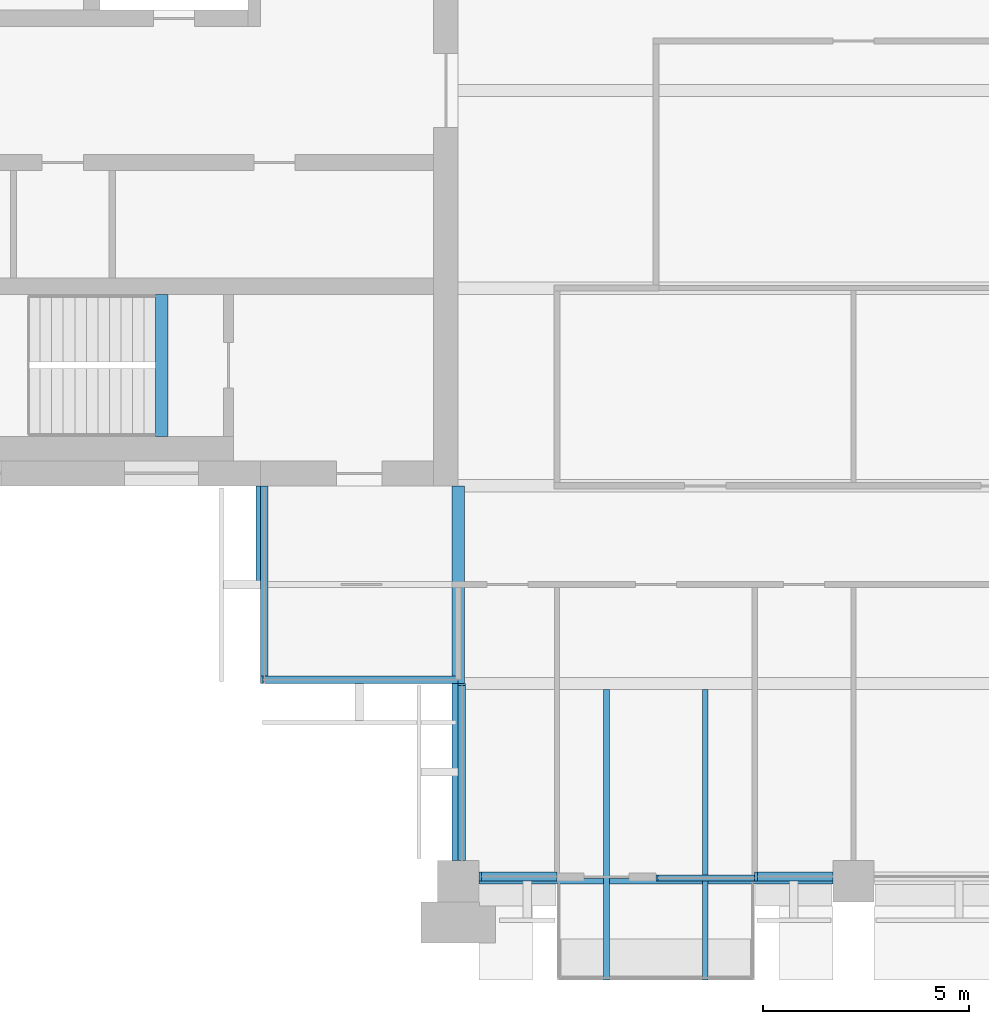
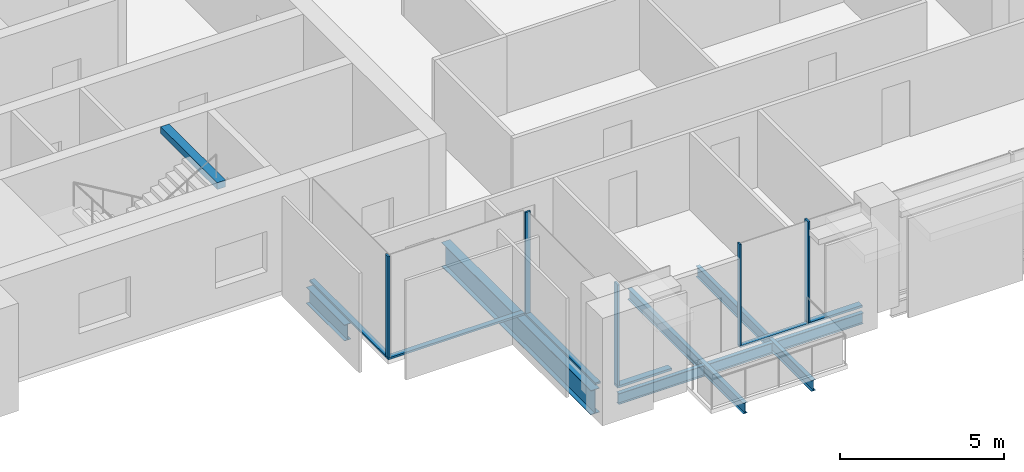
# One storey, part 2 of 13: 11 members, 8 beams, 6 elements without a shape of their own.
"""IFC4 building model written with IfcOpenShell, lengths in metres."""

from ifc_helpers import new_model, si_unit, direction, frame, origin, origin_2d, place, context, subcontext, project, spatial, rectangle, i_section, extrude, material, material_profile, profile_set, type_object, element, aggregate, save


model = new_model("IFC4")

# Units and contexts
model_context = context("Model", 3, precision=1e-05, world=origin(), true_north=direction((0.0, 1.0)))
body_context = subcontext(model_context, "Body", "Model", "MODEL_VIEW")
ifc_project = project(units=[si_unit("LENGTHUNIT", "METRE"), si_unit("AREAUNIT", "SQUARE_METRE"), si_unit("VOLUMEUNIT", "CUBIC_METRE"), si_unit("PLANEANGLEUNIT", "RADIAN"), si_unit("MASSUNIT", "GRAM", prefix="KILO")], contexts=[model_context])

# Site, building, storey
site_placement = place(None, origin())
site = spatial("IfcSite", under=ifc_project, at=site_placement, CompositionType="ELEMENT")
building_placement = place(site_placement, origin())
building = spatial("IfcBuilding", under=site, at=building_placement, Name="Baori Bourse Tower", CompositionType="ELEMENT")
storey_placement = place(building_placement, frame((0.0, 0.0, 314.300048828125)))
storey = spatial("IfcBuildingStorey", under=building, at=storey_placement, Name="L69", CompositionType="ELEMENT", Elevation=314.300048828125)

# Beams
ifc_material_1 = material(Name="Steel A992 Gr 50", Category="steel")
ifc_material_profile_1 = material_profile(ifc_material_1, i_section(OverallWidth=0.140380859375, OverallDepth=0.40380859375, WebThickness=0.007080078125, FlangeThickness=0.01123046875, at=origin_2d()), Name="W16x31")
ifc_profile_set_1 = profile_set([ifc_material_profile_1], Name="Steel A992 Gr 50")
beam_type_1 = type_object("IfcBeamType", Name="Balcony beam W16x31", PredefinedType="BEAM", material=ifc_profile_set_1)
for number, where, z_axis, x_axis, name in (
    (1, (22.800048828125, -2.39990234375, -0.362060546875), (0.0, 1.0, 0.0), (-1.0, 0.0, 0.0), "Balcony beam L69"),
    (2, (25.199951171875, -2.39990234375, -0.362060546875), (0.0, 1.0, 0.0), (-1.0, 0.0, 0.0), "Balcony beam L69"),
):
    element("IfcBeam", number, at=place(storey_placement, frame(where, z_axis=z_axis, x_axis=x_axis)), inside=storey, type_object=beam_type_1, Name=name, PredefinedType="BEAM", context=body_context, shape_type="SweptSolid", body=[
        extrude(i_section(OverallWidth=0.140380859375, OverallDepth=0.40380859375, WebThickness=0.007080078125, FlangeThickness=0.01123046875, at=origin_2d()), origin(), (0.0, 0.0, 1.0), 7.050048828125),
    ])

# Curtain wall, member
ifc_material_2 = material(Name="Pale anodised aluminium", Category="aluminium")
curtain_wall_type_1 = type_object("IfcCurtainWallType", Name="CW2 Curtain wall", PredefinedType="NOTDEFINED", material=ifc_material_2)
curtain_wall_1_placement = place(storey_placement, origin())
curtain_wall_1 = element("IfcCurtainWall", 3, at=curtain_wall_1_placement, inside=storey, type_object=curtain_wall_type_1, Name="Curtain wall CW2 L69 11", PredefinedType="NOTDEFINED")
ifc_material_3 = material(Name="Pale anodised aluminium", Category="aluminium")
ifc_material_profile_2 = material_profile(ifc_material_3, rectangle(XDim=0.179931640625, YDim=0.054931640625, at=origin_2d()), Name="Mullion 55x180")
ifc_profile_set_2 = profile_set([ifc_material_profile_2], Name="Pale anodised aluminium")
member_type_1 = type_object("IfcMemberType", Name="CW2 Curtain wall mullion", PredefinedType="MULLION", material=ifc_profile_set_2)
member_1_placement = place(storey_placement, frame((14.427490234375, 4.889892578125, 0.070068359375), z_axis=(0.0, 0.0, 1.0), x_axis=(0.0, 1.0, 0.0)))
member_1 = element("IfcMember", 4, at=member_1_placement, type_object=member_type_1, Name="Curtain wall CW2 mullion", PredefinedType="MULLION", context=body_context, shape_type="SweptSolid", body=[
    extrude(rectangle(XDim=0.179931640625, YDim=0.054931640625, at=origin_2d()), origin(), (0.0, 0.0, 1.0), 3.769775390625),
])

curtain_wall_2_placement = place(storey_placement, origin())
curtain_wall_2 = element("IfcCurtainWall", 5, at=curtain_wall_2_placement, inside=storey, type_object=curtain_wall_type_1, Name="Curtain wall CW2 L69 12", PredefinedType="NOTDEFINED")
member_2_placement = place(storey_placement, frame((19.2900390625, 4.7724609375, 0.070068359375), z_axis=(0.0, 0.0, 1.0), x_axis=(1.0, 0.0, 0.0)))
member_2 = element("IfcMember", 6, at=member_2_placement, type_object=member_type_1, Name="Curtain wall CW2 mullion", PredefinedType="MULLION", context=body_context, shape_type="SweptSolid", body=[
    extrude(rectangle(XDim=0.179931640625, YDim=0.054931640625, at=origin_2d()), origin(), (0.0, 0.0, 1.0), 3.769775390625),
])

curtain_wall_3_placement = place(storey_placement, origin())
curtain_wall_3 = element("IfcCurtainWall", 7, at=curtain_wall_3_placement, inside=storey, type_object=curtain_wall_type_1, Name="Curtain wall CW2 L69 10", PredefinedType="NOTDEFINED")
ifc_material_4 = material(Name="Pale anodised aluminium", Category="aluminium")
ifc_material_profile_3 = material_profile(ifc_material_4, rectangle(XDim=0.179931640625, YDim=0.070068359375, at=origin_2d()), Name="Transom 70x180")
ifc_profile_set_3 = profile_set([ifc_material_profile_3], Name="Pale anodised aluminium")
member_type_2 = type_object("IfcMemberType", Name="CW2 Curtain wall transom", PredefinedType="USERDEFINED", material=ifc_profile_set_3)
member_3_placement = place(storey_placement, frame((14.489990234375, 9.60009765625, 0.034912109375), z_axis=(0.0, -1.0, 0.0), x_axis=(1.0, 0.0, 0.0)))
member_3 = element("IfcMember", 8, at=member_3_placement, type_object=member_type_2, Name="Curtain wall CW2 sill rail", ObjectType="TRANSOM", PredefinedType="USERDEFINED", context=body_context, shape_type="SweptSolid", body=[
    extrude(rectangle(XDim=0.179931640625, YDim=0.070068359375, at=origin_2d()), origin(), (0.0, 0.0, 1.0), 4.800048828125),
])
aggregate(curtain_wall_3, [member_3])

# Member
member_4_placement = place(storey_placement, frame((14.39990234375, 4.889892578125, 0.034912109375), z_axis=(1.0, 0.0, 0.0), x_axis=(0.0, 1.0, 0.0)))
member_4 = element("IfcMember", 9, at=member_4_placement, type_object=member_type_2, Name="Curtain wall CW2 sill rail", ObjectType="TRANSOM", PredefinedType="USERDEFINED", context=body_context, shape_type="SweptSolid", body=[
    extrude(rectangle(XDim=0.179931640625, YDim=0.070068359375, at=origin_2d()), origin(), (0.0, 0.0, 1.0), 4.800048828125),
])

aggregate(curtain_wall_1, [member_4, member_1])

member_5_placement = place(storey_placement, frame((19.2900390625, 4.800048828125, 0.034912109375), z_axis=(0.0, -1.0, 0.0), x_axis=(1.0, 0.0, 0.0)))
member_5 = element("IfcMember", 10, at=member_5_placement, type_object=member_type_2, Name="Curtain wall CW2 sill rail", ObjectType="TRANSOM", PredefinedType="USERDEFINED", context=body_context, shape_type="SweptSolid", body=[
    extrude(rectangle(XDim=0.179931640625, YDim=0.070068359375, at=origin_2d()), origin(), (0.0, 0.0, 1.0), 4.300048828125),
])

aggregate(curtain_wall_2, [member_5, member_2])

# Curtain wall, member
ifc_material_5 = material(Name="Pale anodised aluminium", Category="aluminium")
curtain_wall_type_2 = type_object("IfcCurtainWallType", Name="CW5 Curtain wall", PredefinedType="NOTDEFINED", material=ifc_material_5)
curtain_wall_4_placement = place(storey_placement, origin())
curtain_wall_4 = element("IfcCurtainWall", 11, at=curtain_wall_4_placement, inside=storey, type_object=curtain_wall_type_2, Name="Curtain wall CW5 L69 13", PredefinedType="NOTDEFINED")
ifc_material_6 = material(Name="Pale anodised aluminium", Category="aluminium")
ifc_material_profile_4 = material_profile(ifc_material_6, rectangle(XDim=0.219970703125, YDim=0.06494140625, at=origin_2d()), Name="Mullion 65x220")
ifc_profile_set_4 = profile_set([ifc_material_profile_4], Name="Pale anodised aluminium")
member_type_3 = type_object("IfcMemberType", Name="CW5 Curtain wall mullion", PredefinedType="MULLION", material=ifc_profile_set_4)
member_6_placement = place(storey_placement, frame((19.732421875, 0.110107421875, 0.0849609375), z_axis=(0.0, 0.0, 1.0), x_axis=(0.0, 1.0, 0.0)))
member_6 = element("IfcMember", 12, at=member_6_placement, type_object=member_type_3, Name="Curtain wall CW5 mullion", PredefinedType="MULLION", context=body_context, shape_type="SweptSolid", body=[
    extrude(rectangle(XDim=0.219970703125, YDim=0.06494140625, at=origin_2d()), origin(), (0.0, 0.0, 1.0), 3.7548828125),
])

curtain_wall_5_placement = place(storey_placement, origin())
curtain_wall_5 = element("IfcCurtainWall", 13, at=curtain_wall_5_placement, inside=storey, type_object=curtain_wall_type_2, Name="Curtain wall CW5 L69 15", PredefinedType="NOTDEFINED")
member_7_placement = place(storey_placement, frame((26.4326171875, 0.110107421875, 0.0849609375), z_axis=(0.0, 0.0, 1.0), x_axis=(0.0, 1.0, 0.0)))
member_7 = element("IfcMember", 14, at=member_7_placement, type_object=member_type_3, Name="Curtain wall CW5 mullion", PredefinedType="MULLION", context=body_context, shape_type="SweptSolid", body=[
    extrude(rectangle(XDim=0.219970703125, YDim=0.06494140625, at=origin_2d()), origin(), (0.0, 0.0, 1.0), 3.7548828125),
])

# Member
ifc_material_7 = material(Name="Pale anodised aluminium", Category="aluminium")
ifc_material_profile_5 = material_profile(ifc_material_7, rectangle(XDim=0.219970703125, YDim=0.0849609375, at=origin_2d()), Name="Transom 85x220")
ifc_profile_set_5 = profile_set([ifc_material_profile_5], Name="Pale anodised aluminium")
member_type_4 = type_object("IfcMemberType", Name="CW5 Curtain wall transom", PredefinedType="USERDEFINED", material=ifc_profile_set_5)
member_8_placement = place(storey_placement, frame((19.699951171875, 0.110107421875, 0.04248046875), z_axis=(1.0, 0.0, 0.0), x_axis=(0.0, 1.0, 0.0)))
member_8 = element("IfcMember", 15, at=member_8_placement, type_object=member_type_4, Name="Curtain wall CW5 sill rail", ObjectType="TRANSOM", PredefinedType="USERDEFINED", context=body_context, shape_type="SweptSolid", body=[
    extrude(rectangle(XDim=0.219970703125, YDim=0.0849609375, at=origin_2d()), origin(), (0.0, 0.0, 1.0), 1.900146484375),
])

aggregate(curtain_wall_4, [member_8, member_6])

member_9_placement = place(storey_placement, frame((26.39990234375, 0.110107421875, 0.04248046875), z_axis=(1.0, 0.0, 0.0), x_axis=(0.0, 1.0, 0.0)))
member_9 = element("IfcMember", 16, at=member_9_placement, type_object=member_type_4, Name="Curtain wall CW5 sill rail", ObjectType="TRANSOM", PredefinedType="USERDEFINED", context=body_context, shape_type="SweptSolid", body=[
    extrude(rectangle(XDim=0.219970703125, YDim=0.0849609375, at=origin_2d()), origin(), (0.0, 0.0, 1.0), 1.900146484375),
])

aggregate(curtain_wall_5, [member_9, member_7])

# Curtain wall, members
ifc_material_8 = material(Name="Pale anodised aluminium", Category="aluminium")
curtain_wall_type_3 = type_object("IfcCurtainWallType", Name="CW6 Curtain wall", PredefinedType="NOTDEFINED", material=ifc_material_8)
curtain_wall_6_placement = place(storey_placement, origin())
curtain_wall_6 = element("IfcCurtainWall", 17, at=curtain_wall_6_placement, inside=storey, type_object=curtain_wall_type_3, Name="Curtain wall CW6 L69 14", PredefinedType="NOTDEFINED")
ifc_material_9 = material(Name="Pale anodised aluminium", Category="aluminium")
ifc_material_profile_6 = material_profile(ifc_material_9, rectangle(XDim=0.14990234375, YDim=0.050048828125, at=origin_2d()), Name="Mullion 50x150")
ifc_profile_set_6 = profile_set([ifc_material_profile_6], Name="Pale anodised aluminium")
member_type_5 = type_object("IfcMemberType", Name="CW6 Curtain wall mullion", PredefinedType="MULLION", material=ifc_profile_set_6)
member_10_placement = place(storey_placement, frame((24.02490234375, 0.074951171875, 0.06494140625), z_axis=(0.0, 0.0, 1.0), x_axis=(0.0, 1.0, 0.0)))
member_10 = element("IfcMember", 18, at=member_10_placement, type_object=member_type_5, Name="Curtain wall CW6 mullion", PredefinedType="MULLION", context=body_context, shape_type="SweptSolid", body=[
    extrude(rectangle(XDim=0.14990234375, YDim=0.050048828125, at=origin_2d()), origin(), (0.0, 0.0, 1.0), 3.77490234375),
])
ifc_material_10 = material(Name="Pale anodised aluminium", Category="aluminium")
ifc_material_profile_7 = material_profile(ifc_material_10, rectangle(XDim=0.14990234375, YDim=0.06494140625, at=origin_2d()), Name="Transom 65x150")
ifc_profile_set_7 = profile_set([ifc_material_profile_7], Name="Pale anodised aluminium")
member_type_6 = type_object("IfcMemberType", Name="CW6 Curtain wall transom", PredefinedType="USERDEFINED", material=ifc_profile_set_7)
member_11_placement = place(storey_placement, frame((24.0, 0.074951171875, 0.032470703125), z_axis=(1.0, 0.0, 0.0), x_axis=(0.0, 1.0, 0.0)))
member_11 = element("IfcMember", 19, at=member_11_placement, type_object=member_type_6, Name="Curtain wall CW6 sill rail", ObjectType="TRANSOM", PredefinedType="USERDEFINED", context=body_context, shape_type="SweptSolid", body=[
    extrude(rectangle(XDim=0.14990234375, YDim=0.06494140625, at=origin_2d()), origin(), (0.0, 0.0, 1.0), 2.39990234375),
])
aggregate(curtain_wall_6, [member_11, member_10])

# Beams
ifc_material_11 = material(Name="Steel A992 Gr 50", Category="steel")
ifc_material_profile_8 = material_profile(ifc_material_11, i_section(OverallWidth=0.227783203125, OverallDepth=0.60205078125, WebThickness=0.010498046875, FlangeThickness=0.014892578125, at=origin_2d()), Name="W24x68")
ifc_profile_set_8 = profile_set([ifc_material_profile_8], Name="Steel A992 Gr 50")
beam_type_2 = type_object("IfcBeamType", Name="Core bracket W24x68", PredefinedType="BEAM", material=ifc_profile_set_8)
beam_1_placement = place(storey_placement, frame((14.39990234375, 7.270263671875, -0.4609375), z_axis=(0.0, 1.0, 0.0), x_axis=(-1.0, 0.0, 0.0)))
element("IfcBeam", 20, at=beam_1_placement, inside=storey, type_object=beam_type_2, Name="Core bracket L69", PredefinedType="BEAM", context=body_context, shape_type="SweptSolid", body=[
    extrude(i_section(OverallWidth=0.227783203125, OverallDepth=0.60205078125, WebThickness=0.010498046875, FlangeThickness=0.014892578125, at=origin_2d()), origin(), (0.0, 0.0, 1.0), 2.329833984375),
])
ifc_material_12 = material(Name="Steel A992 Gr 50", Category="steel")
ifc_material_profile_9 = material_profile(ifc_material_12, i_section(OverallWidth=0.140380859375, OverallDepth=0.40380859375, WebThickness=0.007080078125, FlangeThickness=0.01123046875, at=origin_2d()), Name="W16x31")
ifc_profile_set_9 = profile_set([ifc_material_profile_9], Name="Steel A992 Gr 50")
beam_type_3 = type_object("IfcBeamType", Name="Edge beam W16x31", PredefinedType="BEAM", material=ifc_profile_set_9)
beam_2_placement = place(storey_placement, frame((19.699951171875, 0.0, -0.362060546875), z_axis=(1.0, 0.0, 0.0), x_axis=(0.0, 1.0, 0.0)))
element("IfcBeam", 21, at=beam_2_placement, inside=storey, type_object=beam_type_3, Name="Edge beam L69", PredefinedType="BEAM", context=body_context, shape_type="SweptSolid", body=[
    extrude(i_section(OverallWidth=0.140380859375, OverallDepth=0.40380859375, WebThickness=0.007080078125, FlangeThickness=0.01123046875, at=origin_2d()), origin(), (0.0, 0.0, 1.0), 3.02978515625),
])
beam_3_placement = place(storey_placement, frame((22.8701171875, 0.0, -0.362060546875), z_axis=(1.0, 0.0, 0.0), x_axis=(0.0, 1.0, 0.0)))
element("IfcBeam", 22, at=beam_3_placement, inside=storey, type_object=beam_type_3, Name="Edge beam L69", PredefinedType="BEAM", context=body_context, shape_type="SweptSolid", body=[
    extrude(i_section(OverallWidth=0.140380859375, OverallDepth=0.40380859375, WebThickness=0.007080078125, FlangeThickness=0.01123046875, at=origin_2d()), origin(), (0.0, 0.0, 1.0), 2.259765625),
])
beam_4_placement = place(storey_placement, frame((25.270263671875, 0.0, -0.362060546875), z_axis=(1.0, 0.0, 0.0), x_axis=(0.0, 1.0, 0.0)))
element("IfcBeam", 23, at=beam_4_placement, inside=storey, type_object=beam_type_3, Name="Edge beam L69", PredefinedType="BEAM", context=body_context, shape_type="SweptSolid", body=[
    extrude(i_section(OverallWidth=0.140380859375, OverallDepth=0.40380859375, WebThickness=0.007080078125, FlangeThickness=0.01123046875, at=origin_2d()), origin(), (0.0, 0.0, 1.0), 3.02978515625),
])
ifc_material_13 = material(Name="Steel A992 Gr 50", Category="steel")
ifc_material_profile_10 = material_profile(ifc_material_13, i_section(OverallWidth=0.3046875, OverallDepth=0.904296875, WebThickness=0.01513671875, FlangeThickness=0.02001953125, at=origin_2d()), Name="W36x135")
ifc_profile_set_10 = profile_set([ifc_material_profile_10], Name="Steel A992 Gr 50")
beam_type_4 = type_object("IfcBeamType", Name="Girder W36x135", PredefinedType="BEAM", material=ifc_profile_set_10)
beam_5_placement = place(storey_placement, frame((19.199951171875, 0.5, -0.612060546875), z_axis=(0.0, 1.0, 0.0), x_axis=(-1.0, 0.0, 0.0)))
element("IfcBeam", 24, at=beam_5_placement, inside=storey, type_object=beam_type_4, Name="Girder L69", PredefinedType="BEAM", context=body_context, shape_type="SweptSolid", body=[
    extrude(i_section(OverallWidth=0.3046875, OverallDepth=0.904296875, WebThickness=0.01513671875, FlangeThickness=0.02001953125, at=origin_2d()), origin(), (0.0, 0.0, 1.0), 9.10009765625),
])
ifc_material_14 = material(Name="Concrete f'c 50 MPa", Category="concrete")
ifc_material_profile_11 = material_profile(ifc_material_14, rectangle(XDim=0.300048828125, YDim=0.25, at=origin_2d()), Name="RC 300x250")
ifc_profile_set_11 = profile_set([ifc_material_profile_11], Name="Concrete f'c 50 MPa")
beam_type_5 = type_object("IfcBeamType", Name="Stair nib beam RC 300x250", PredefinedType="BEAM", material=ifc_profile_set_11)
beam_6_placement = place(storey_placement, frame((12.0, 10.800048828125, 3.71484375), z_axis=(0.0, 1.0, 0.0), x_axis=(-1.0, 0.0, 0.0)))
element("IfcBeam", 25, at=beam_6_placement, inside=storey, type_object=beam_type_5, Name="Stair WA nib beam L70", PredefinedType="BEAM", context=body_context, shape_type="SweptSolid", body=[
    extrude(rectangle(XDim=0.300048828125, YDim=0.25, at=origin_2d()), origin(), (0.0, 0.0, 1.0), 3.449951171875),
])

save(model, "model.ifc")
